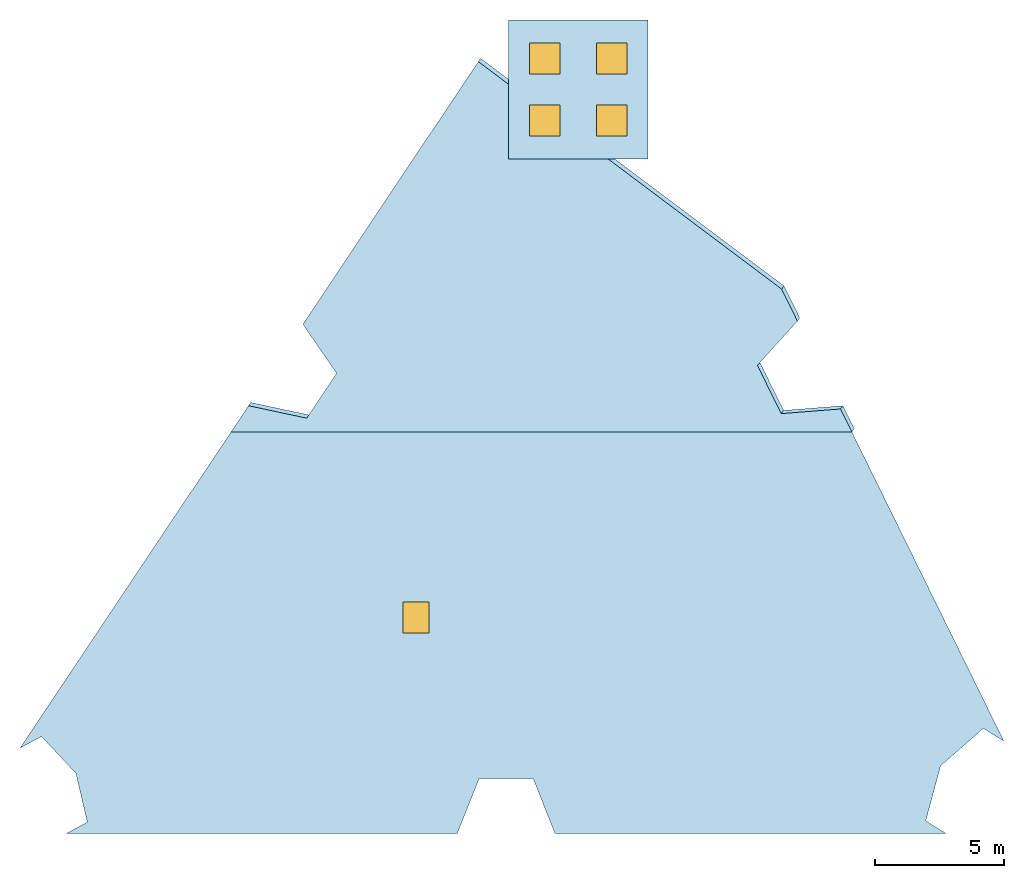
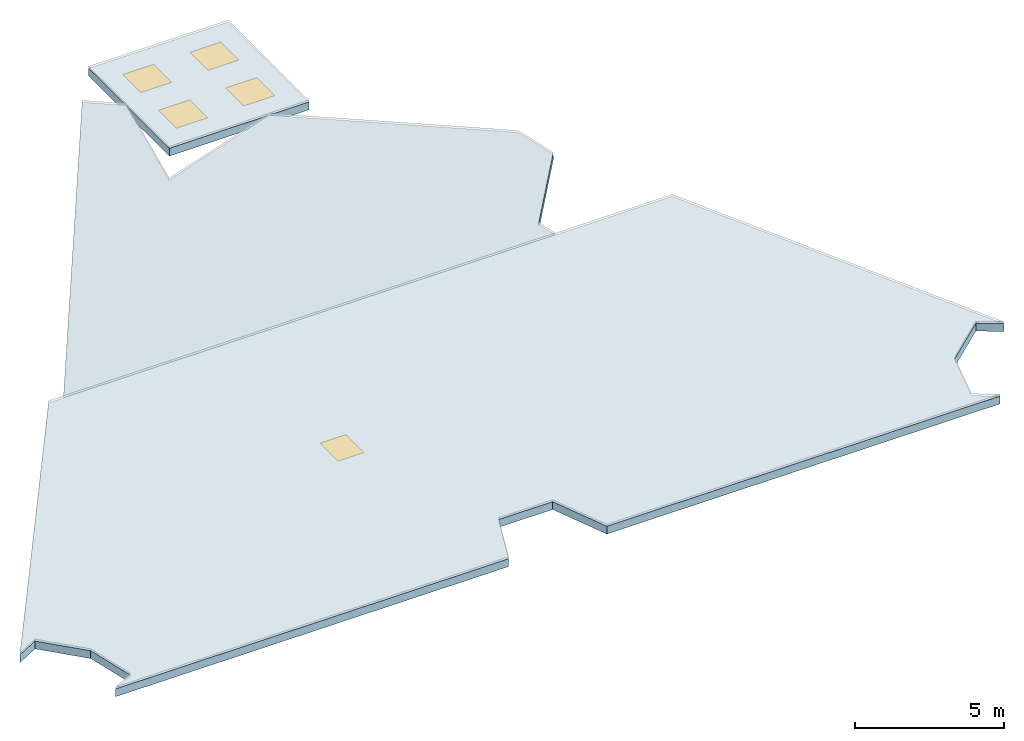
"""IFC4 building model written with IfcOpenShell, lengths in metres."""

from ifc_helpers import new_model, si_unit, direction, frame, origin, origin_2d, place, context, subcontext, project, spatial, polyline, rectangle, outline, extrude, material, layer, layer_set, type_object, element, fill, save


model = new_model("IFC4")

# Units and contexts
model_context = context("Model", 3, precision=1e-05, world=origin(), true_north=direction((0.0, 1.0)))
body_context = subcontext(model_context, "Body", "Model", "MODEL_VIEW")
ifc_project = project(units=[si_unit("LENGTHUNIT", "METRE"), si_unit("AREAUNIT", "SQUARE_METRE"), si_unit("VOLUMEUNIT", "CUBIC_METRE"), si_unit("PLANEANGLEUNIT", "RADIAN"), si_unit("MASSUNIT", "GRAM", prefix="KILO")], contexts=[model_context])

# Site, building, storey
site_placement = place(None, origin())
site = spatial("IfcSite", under=ifc_project, at=site_placement, CompositionType="ELEMENT")
building_placement = place(site_placement, origin())
building = spatial("IfcBuilding", under=site, at=building_placement, Name="Almagre Mirador Tower", CompositionType="ELEMENT")
storey_1_placement = place(building_placement, frame((0.0, 0.0, 322.5)))
storey_1 = spatial("IfcBuildingStorey", under=building, at=storey_1_placement, Name="Roof", CompositionType="ELEMENT", Elevation=322.5)

# Slab
ifc_material_1 = material(Name="Concrete C45/55", Category="concrete")
ifc_layer = layer(ifc_material_1, 0.320068359375)
ifc_layer_set = layer_set([ifc_layer], Name="Concrete C45/55")
slab_type = type_object("IfcSlabType", Name="SLB-ROOF-320", PredefinedType="ROOF", material=ifc_layer_set)
slab_1_placement = place(storey_1_placement, frame((28.9580078125, 17.93701171875, -8.455322265625), z_axis=(-0.29138511591, -0.388502167961, 0.874162902276), x_axis=(-0.952418643676, 0.203227937774, -0.22715002198)))
element("IfcSlab", 1, at=slab_1_placement, inside=storey_1, type_object=slab_type, Name="Slanted-cut crown roof slab RF-01", PredefinedType="ROOF", context=body_context, shape_type="SweptSolid", body=[
    extrude(outline(polyline([(0.0, 0.0), (2.3760209882207937, -2.7755575615628914e-17), (2.971736133345448, 1.2695819682490068), (-21.820751458999233, -4.336578917067865), (-21.276626895563535, -5.209356648161348), (-18.924412209925446, -4.475042780784263), (-17.784537675352606, -6.304686807011349), (-19.204644257007345, -8.535098109598119), (-18.447789579386626, -9.749371924342668), (-11.008979027573274, -13.685957262953643), (-7.033507483486051, -12.787045915752808), (-6.7369214290801755, -15.946559023610636), (-5.431398077148095, -16.637419203278434), (0.5299680629566428, -3.9336350100702098), (-1.014811911976447, -2.1633361773770616), (0.0, 0.0)])), origin(), (0.0, 0.0, -1.0), 0.320068359375),
])

# Slab, opening
slab_2_placement = place(storey_1_placement, frame((0.0, 0.0, -0.60009765625)))
slab_2 = element("IfcSlab", 2, at=slab_2_placement, inside=storey_1, type_object=slab_type, Name="Crown core headhouse roof slab RF-03", PredefinedType="ROOF", context=body_context, shape_type="SweptSolid", body=[
    extrude(outline(polyline([(50.128173828125, 17.39990234375), (26.01416015625, 17.39990234375), (17.821044921875, 5.126953125), (18.654052734375, 5.572021484375), (19.990966796875, 4.14794921875), (20.43310546875, 2.24609375), (19.60009765625, 1.800048828125), (34.800048828125, 1.800048828125), (35.655029296875, 3.949951171875), (37.7451171875, 3.949951171875), (38.60009765625, 1.800048828125), (53.800048828125, 1.800048828125), (52.998046875, 2.299072265625), (53.572021484375, 4.431884765625), (55.23291015625, 5.888916015625), (56.034912109375, 5.388916015625), (50.128173828125, 17.39990234375)])), origin(), (0.0, 0.0, 1.0), 0.320068359375),
])
opening_1_placement = place(slab_2_placement, frame((33.199951171875, 10.199951171875, 0.0)))
opening_1 = element("IfcOpeningElement", 3, at=opening_1_placement, cuts=slab_2, Name="Opening RH-01", PredefinedType="OPENING", context=body_context, shape_type="SweptSolid", body=[
    extrude(rectangle(XDim=1.0, YDim=1.199951171875, at=origin_2d()), origin(), (0.0, 0.0, 1.0), 0.320068359375),
])

# Storey
storey_2_placement = place(building_placement, frame((0.0, 0.0, 318.5)))
storey_2 = spatial("IfcBuildingStorey", under=building, at=storey_2_placement, Name="L82", CompositionType="ELEMENT", Elevation=318.5)

# Door
ifc_material_2 = material(Name="Insulated aluminium roof hatch", Category="aluminium")
door_type = type_object("IfcDoorType", Name="DOR-HAT-1000X1200", OperationType="SINGLE_SWING_LEFT", PredefinedType="TRAPDOOR", material=ifc_material_2)
door_placement = place(opening_1_placement, frame((0.0, 0.0, 0.27001953125)))
door = element("IfcDoor", 4, at=door_placement, inside=storey_2, type_object=door_type, Name="DR-2382 Roof headhouse access trapdoor hatch RH-ROOF-01", OperationType="SINGLE_SWING_LEFT", OverallHeight=1.199951171875, OverallWidth=1.0, PredefinedType="TRAPDOOR", context=body_context, shape_type="SweptSolid", body=[
    extrude(rectangle(XDim=1.0, YDim=1.199951171875, at=origin_2d()), origin(), (0.0, 0.0, 1.0), 0.050048828125),
])

fill(opening_1, door)

# Slab, openings, windows
slab_3_placement = place(storey_1_placement, frame((0.0, 0.0, -0.39990234375)))
slab_3 = element("IfcSlab", 5, at=slab_3_placement, inside=storey_1, type_object=slab_type, Name="Crown apex skylight deck RF-02", PredefinedType="ROOF", context=body_context, shape_type="SweptSolid", body=[
    extrude(outline(polyline([(36.800048828125, 28.0), (42.199951171875, 28.0), (42.199951171875, 33.39990234375), (36.800048828125, 33.39990234375), (36.800048828125, 28.0)])), origin(), (0.0, 0.0, 1.0), 0.31982421875),
])
opening_2_placement = place(slab_3_placement, frame((38.199951171875, 29.5, 0.0)))
opening_2 = element("IfcOpeningElement", 6, at=opening_2_placement, cuts=slab_3, Name="Opening SK-01", PredefinedType="OPENING", context=body_context, shape_type="SweptSolid", body=[
    extrude(rectangle(XDim=1.199951171875, YDim=1.199951171875, at=origin_2d()), origin(), (0.0, 0.0, 1.0), 0.31982421875),
])
opening_3_placement = place(slab_3_placement, frame((40.800048828125, 29.5, 0.0)))
opening_3 = element("IfcOpeningElement", 7, at=opening_3_placement, cuts=slab_3, Name="Opening SK-01", PredefinedType="OPENING", context=body_context, shape_type="SweptSolid", body=[
    extrude(rectangle(XDim=1.199951171875, YDim=1.199951171875, at=origin_2d()), origin(), (0.0, 0.0, 1.0), 0.31982421875),
])
opening_4_placement = place(slab_3_placement, frame((38.199951171875, 31.89990234375, 0.0)))
opening_4 = element("IfcOpeningElement", 8, at=opening_4_placement, cuts=slab_3, Name="Opening SK-01", PredefinedType="OPENING", context=body_context, shape_type="SweptSolid", body=[
    extrude(rectangle(XDim=1.199951171875, YDim=1.199951171875, at=origin_2d()), origin(), (0.0, 0.0, 1.0), 0.31982421875),
])
opening_5_placement = place(slab_3_placement, frame((40.800048828125, 31.89990234375, 0.0)))
opening_5 = element("IfcOpeningElement", 9, at=opening_5_placement, cuts=slab_3, Name="Opening SK-01", PredefinedType="OPENING", context=body_context, shape_type="SweptSolid", body=[
    extrude(rectangle(XDim=1.199951171875, YDim=1.199951171875, at=origin_2d()), origin(), (0.0, 0.0, 1.0), 0.31982421875),
])
ifc_material_3 = material(Name="Dark solar-control laminated hurricane glass", Category="glass")
window_type = type_object("IfcWindowType", Name="SKY-1800X1800", PartitioningType="SINGLE_PANEL", PredefinedType="SKYLIGHT", material=ifc_material_3)
window_1_placement = place(opening_2_placement, frame((0.0, 0.0, 0.269775390625)))
window_1 = element("IfcWindow", 10, at=window_1_placement, inside=storey_1, type_object=window_type, Name="Crown plant well daylight skylight SK-R01", OverallHeight=1.199951171875, OverallWidth=1.199951171875, PartitioningType="SINGLE_PANEL", PredefinedType="SKYLIGHT", context=body_context, shape_type="SweptSolid", body=[
    extrude(rectangle(XDim=1.199951171875, YDim=1.199951171875, at=origin_2d()), origin(), (0.0, 0.0, 1.0), 0.050048828125),
])
fill(opening_2, window_1)
window_2_placement = place(opening_3_placement, frame((0.0, 0.0, 0.269775390625)))
window_2 = element("IfcWindow", 11, at=window_2_placement, inside=storey_1, type_object=window_type, Name="Crown plant well daylight skylight SK-R02", OverallHeight=1.199951171875, OverallWidth=1.199951171875, PartitioningType="SINGLE_PANEL", PredefinedType="SKYLIGHT", context=body_context, shape_type="SweptSolid", body=[
    extrude(rectangle(XDim=1.199951171875, YDim=1.199951171875, at=origin_2d()), origin(), (0.0, 0.0, 1.0), 0.050048828125),
])
fill(opening_3, window_2)
window_3_placement = place(opening_4_placement, frame((0.0, 0.0, 0.269775390625)))
window_3 = element("IfcWindow", 12, at=window_3_placement, inside=storey_1, type_object=window_type, Name="Crown plant well daylight skylight SK-R03", OverallHeight=1.199951171875, OverallWidth=1.199951171875, PartitioningType="SINGLE_PANEL", PredefinedType="SKYLIGHT", context=body_context, shape_type="SweptSolid", body=[
    extrude(rectangle(XDim=1.199951171875, YDim=1.199951171875, at=origin_2d()), origin(), (0.0, 0.0, 1.0), 0.050048828125),
])
fill(opening_4, window_3)
window_4_placement = place(opening_5_placement, frame((0.0, 0.0, 0.269775390625)))
window_4 = element("IfcWindow", 13, at=window_4_placement, inside=storey_1, type_object=window_type, Name="Crown plant well daylight skylight SK-R04", OverallHeight=1.199951171875, OverallWidth=1.199951171875, PartitioningType="SINGLE_PANEL", PredefinedType="SKYLIGHT", context=body_context, shape_type="SweptSolid", body=[
    extrude(rectangle(XDim=1.199951171875, YDim=1.199951171875, at=origin_2d()), origin(), (0.0, 0.0, 1.0), 0.050048828125),
])
fill(opening_5, window_4)

save(model, "model.ifc")
